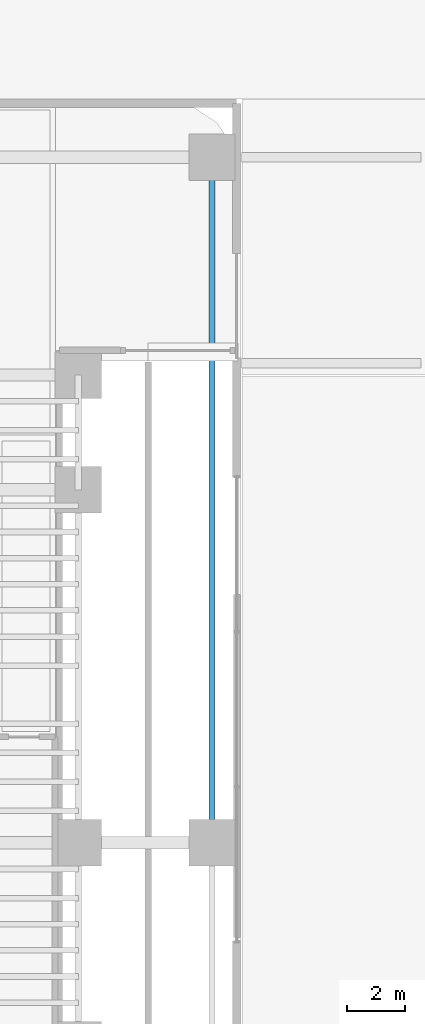
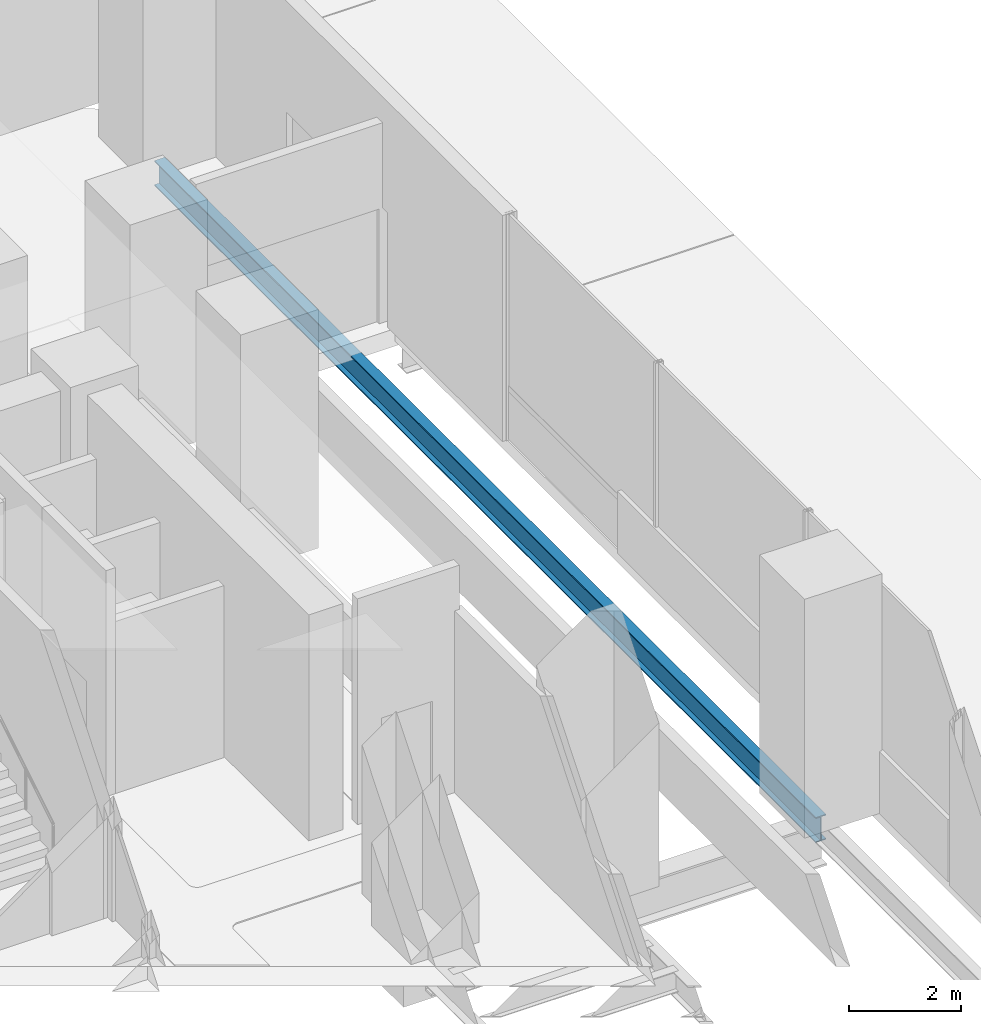
# One storey, part 13 of 27: 1 beam.
"""IFC4 building model written with IfcOpenShell, lengths in metres."""

from ifc_helpers import new_model, si_unit, direction, frame, origin, origin_2d, place, context, subcontext, project, spatial, i_section, extrude, source, transform, mapped, material, material_profile, profile_set, type_object, element, save


model = new_model("IFC4")

# Units and contexts
model_context = context("Model", 3, precision=1e-05, world=origin(), true_north=direction((0.0, 1.0)))
body_context = subcontext(model_context, "Body", "Model", "MODEL_VIEW")
ifc_project = project(units=[si_unit("LENGTHUNIT", "METRE"), si_unit("AREAUNIT", "SQUARE_METRE"), si_unit("VOLUMEUNIT", "CUBIC_METRE"), si_unit("PLANEANGLEUNIT", "RADIAN"), si_unit("MASSUNIT", "GRAM", prefix="KILO")], contexts=[model_context])

# Site, building, storey
site_placement = place(None, origin())
site = spatial("IfcSite", under=ifc_project, at=site_placement, CompositionType="ELEMENT")
building_placement = place(site_placement, origin())
building = spatial("IfcBuilding", under=site, at=building_placement, Name="Valdorenza Pilgrim Sanctuary Tower", CompositionType="ELEMENT")
storey_placement = place(building_placement, origin())
storey = spatial("IfcBuildingStorey", under=building, at=storey_placement, Name="L00", CompositionType="ELEMENT", Elevation=0.0)

# Beam
ifc_material = material(Name="Steel ASTM A992 Grade 50", Category="steel")
ifc_material_profile = material_profile(ifc_material, i_section(OverallWidth=0.214111328125, OverallDepth=0.549072265625, WebThickness=0.0146484375, FlangeThickness=0.023681640625, at=origin_2d()), Name="W21X93")
ifc_profile_set = profile_set([ifc_material_profile], Name="Steel ASTM A992 Grade 50")
beam_type = type_object("IfcBeamType", Name="STR-BM-SPN-W21A", PredefinedType="SPANDREL", material=ifc_profile_set)
shared_shape = source(origin(), body_context, "Body", "SweptSolid", [
    extrude(i_section(OverallWidth=0.214111328125, OverallDepth=0.549072265625, WebThickness=0.0146484375, FlangeThickness=0.023681640625, at=origin_2d()), origin(), (0.0, 0.0, 1.0), 23.60009765625),
])
beam_placement = place(storey_placement, frame((33.0, -2.60009765625, -0.554443359375), z_axis=(0.0, 1.0, 0.0), x_axis=(-1.0, 0.0, 0.0)))
element("IfcBeam", 1, at=beam_placement, inside=storey, type_object=beam_type, Name="L00 Floor Girder POD-SPN-EN", PredefinedType="SPANDREL", context=body_context, shape_type="MappedRepresentation", body=[
    mapped(shared_shape, transform((0.0, 0.0, 0.0), x_axis=(1.0, 0.0, 0.0), y_axis=(0.0, 1.0, 0.0), z_axis=(0.0, 0.0, 1.0), scale=1.0)),
])

save(model, "model.ifc")
